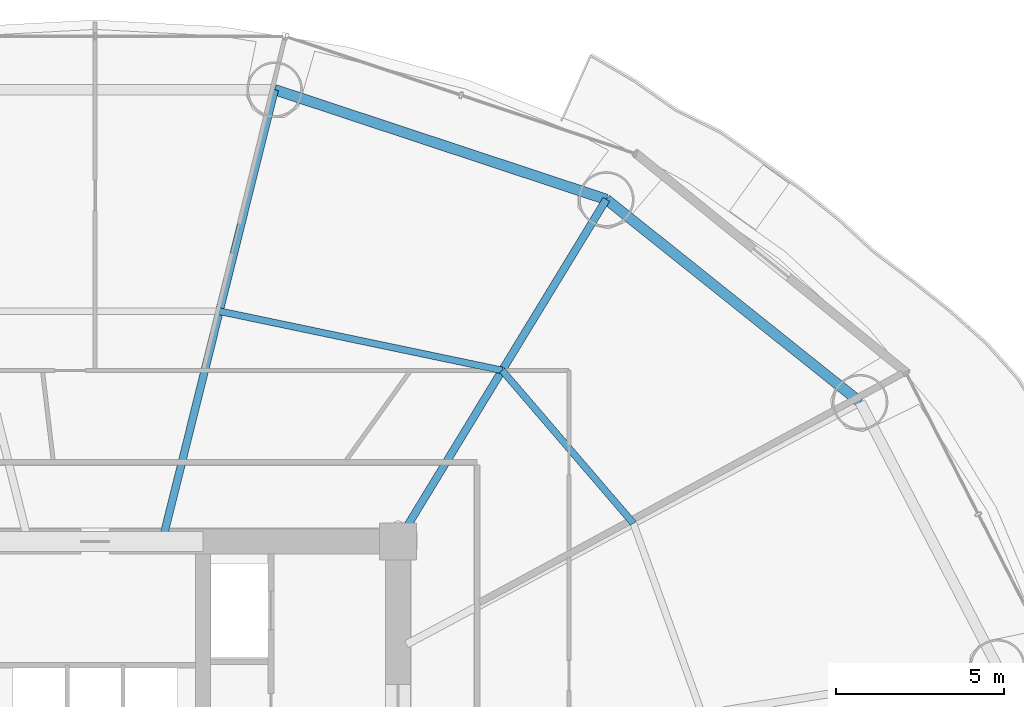
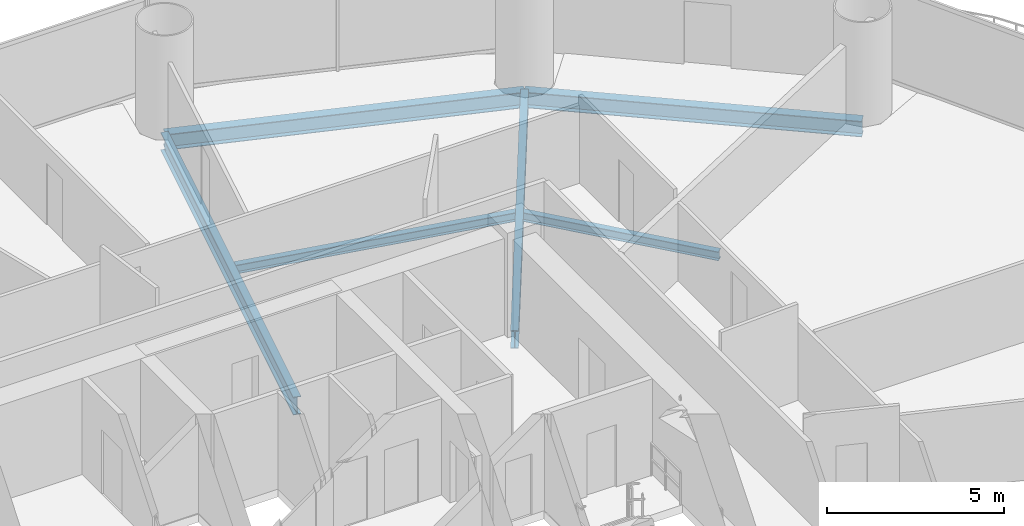
# One storey, part 19 of 30: 6 beams.
"""IFC4 building model written with IfcOpenShell, lengths in metres."""

from ifc_helpers import new_model, si_unit, direction, frame, origin, origin_2d, place, context, subcontext, project, spatial, i_section, extrude, material, material_profile, profile_set, type_object, element, save


model = new_model("IFC4")

# Units and contexts
model_context = context("Model", 3, precision=1e-05, world=origin(), true_north=direction((-0.2419218956, 0.970295726276)))
body_context = subcontext(model_context, "Body", "Model", "MODEL_VIEW")
ifc_project = project(units=[si_unit("LENGTHUNIT", "METRE"), si_unit("AREAUNIT", "SQUARE_METRE"), si_unit("VOLUMEUNIT", "CUBIC_METRE"), si_unit("PLANEANGLEUNIT", "RADIAN"), si_unit("MASSUNIT", "GRAM", prefix="KILO")], contexts=[model_context])

# Site, building, storey
site_placement = place(None, origin())
site = spatial("IfcSite", under=ifc_project, at=site_placement, CompositionType="ELEMENT")
building_placement = place(site_placement, origin())
building = spatial("IfcBuilding", under=site, at=building_placement, Name="Cobrevalo Terracotta Tower", CompositionType="ELEMENT")
storey_placement = place(building_placement, frame((0.0, 0.0, 60.0)))
storey = spatial("IfcBuildingStorey", under=building, at=storey_placement, Name="L15", CompositionType="ELEMENT", Elevation=60.0)

# Beams
ifc_material = material(Name="Steel S355", Category="steel")
ifc_material_profile_1 = material_profile(ifc_material, i_section(OverallWidth=0.22998046875, OverallDepth=0.616943359375, WebThickness=0.01318359375, FlangeThickness=0.022216796875, at=origin_2d()), Name="W 610x140")
ifc_profile_set_1 = profile_set([ifc_material_profile_1], Name="Steel S355")
beam_type_1 = type_object("IfcBeamType", Name="Structural Beam W 610x140 (Steel S355)", PredefinedType="BEAM", material=ifc_profile_set_1)
beam_1_placement = place(storey_placement, frame((53.19482421875, 44.967529296875, -0.58837890625), z_axis=(-0.520309892051, -0.853977526773, 0.0), x_axis=(0.853977526773, -0.520309892051, 0.0)))
element("IfcBeam", 1, at=beam_1_placement, inside=storey, type_object=beam_type_1, Name="L15 radial floor girder 03", PredefinedType="BEAM", context=body_context, shape_type="SweptSolid", body=[
    extrude(i_section(OverallWidth=0.22998046875, OverallDepth=0.616943359375, WebThickness=0.01318359375, FlangeThickness=0.022216796875, at=origin_2d()), origin(), (0.0, 0.0, 1.0), 11.906005859375),
])
beam_2_placement = place(storey_placement, frame((43.335693359375, 48.230224609375, -0.58837890625), z_axis=(-0.241596254786, -0.970376859614, 0.0), x_axis=(0.970376859614, -0.241596254786, 0.0)))
element("IfcBeam", 2, at=beam_2_placement, inside=storey, type_object=beam_type_1, Name="L15 radial floor girder 04", PredefinedType="BEAM", context=body_context, shape_type="SweptSolid", body=[
    extrude(i_section(OverallWidth=0.22998046875, OverallDepth=0.616943359375, WebThickness=0.01318359375, FlangeThickness=0.022216796875, at=origin_2d()), origin(), (0.0, 0.0, 1.0), 13.577392578125),
])
ifc_material_profile_2 = material_profile(ifc_material, i_section(OverallWidth=0.2041015625, OverallDepth=0.305908203125, WebThickness=0.008544921875, FlangeThickness=0.0146484375, at=origin_2d()), Name="W 310x67")
ifc_profile_set_2 = profile_set([ifc_material_profile_2], Name="Steel S355")
beam_type_2 = type_object("IfcBeamType", Name="Structural Joist W 310x67 (Steel S355)", PredefinedType="JOIST", material=ifc_profile_set_2)
beam_3_placement = place(storey_placement, frame((53.997802734375, 35.33984375, -0.43310546875), z_axis=(-0.651328404454, 0.758795960421, 0.0), x_axis=(-0.758795960421, -0.651328404454, 0.0)))
element("IfcBeam", 3, at=beam_3_placement, inside=storey, type_object=beam_type_2, Name="L15 circumferential secondary floor joist 02", PredefinedType="JOIST", context=body_context, shape_type="SweptSolid", body=[
    extrude(i_section(OverallWidth=0.2041015625, OverallDepth=0.305908203125, WebThickness=0.008544921875, FlangeThickness=0.0146484375, at=origin_2d()), origin(), (0.0, 0.0, 1.0), 5.98828125),
])
beam_4_placement = place(storey_placement, frame((50.097412109375, 39.8837890625, -0.43310546875), z_axis=(-0.978784523904, 0.204892302848, 0.0), x_axis=(-0.204892302848, -0.978784523904, 0.0)))
element("IfcBeam", 4, at=beam_4_placement, inside=storey, type_object=beam_type_2, Name="L15 circumferential secondary floor joist 03", PredefinedType="JOIST", context=body_context, shape_type="SweptSolid", body=[
    extrude(i_section(OverallWidth=0.2041015625, OverallDepth=0.305908203125, WebThickness=0.008544921875, FlangeThickness=0.0146484375, at=origin_2d()), origin(), (0.0, 0.0, 1.0), 8.583984375),
])
ifc_material_profile_3 = material_profile(ifc_material, i_section(OverallWidth=0.31201171875, OverallDepth=0.54296875, WebThickness=0.0126953125, FlangeThickness=0.020263671875, at=origin_2d()), Name="W 530x150")
ifc_profile_set_3 = profile_set([ifc_material_profile_3], Name="Steel S355")
beam_type_3 = type_object("IfcBeamType", Name="Structural Spandrel W 530x150 (Steel S355)", PredefinedType="SPANDREL", material=ifc_profile_set_3)
beam_5_placement = place(storey_placement, frame((60.74072265625, 38.939208984375, -0.551513671875), z_axis=(-0.781292806807, 0.62416468182, 0.0), x_axis=(-0.62416468182, -0.781292806807, 0.0)))
element("IfcBeam", 5, at=beam_5_placement, inside=storey, type_object=beam_type_3, Name="L15 perimeter ring spandrel 02", PredefinedType="SPANDREL", context=body_context, shape_type="SweptSolid", body=[
    extrude(i_section(OverallWidth=0.31201171875, OverallDepth=0.54296875, WebThickness=0.0126953125, FlangeThickness=0.020263671875, at=origin_2d()), origin(), (0.0, 0.0, 1.0), 9.658203125),
])
beam_6_placement = place(storey_placement, frame((53.19482421875, 44.967529296875, -0.551513671875), z_axis=(-0.949365190876, 0.314174687638, 0.0), x_axis=(-0.314174687638, -0.949365190876, 0.0)))
element("IfcBeam", 6, at=beam_6_placement, inside=storey, type_object=beam_type_3, Name="L15 perimeter ring spandrel 03", PredefinedType="SPANDREL", context=body_context, shape_type="SweptSolid", body=[
    extrude(i_section(OverallWidth=0.31201171875, OverallDepth=0.54296875, WebThickness=0.0126953125, FlangeThickness=0.020263671875, at=origin_2d()), origin(), (0.0, 0.0, 1.0), 10.385009765625),
])

save(model, "model.ifc")
